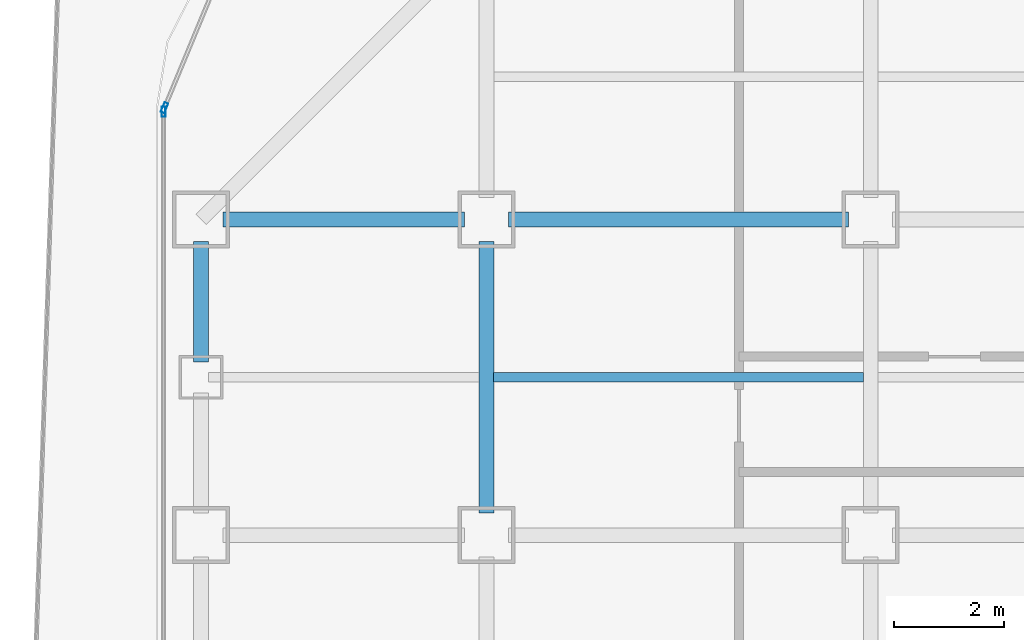
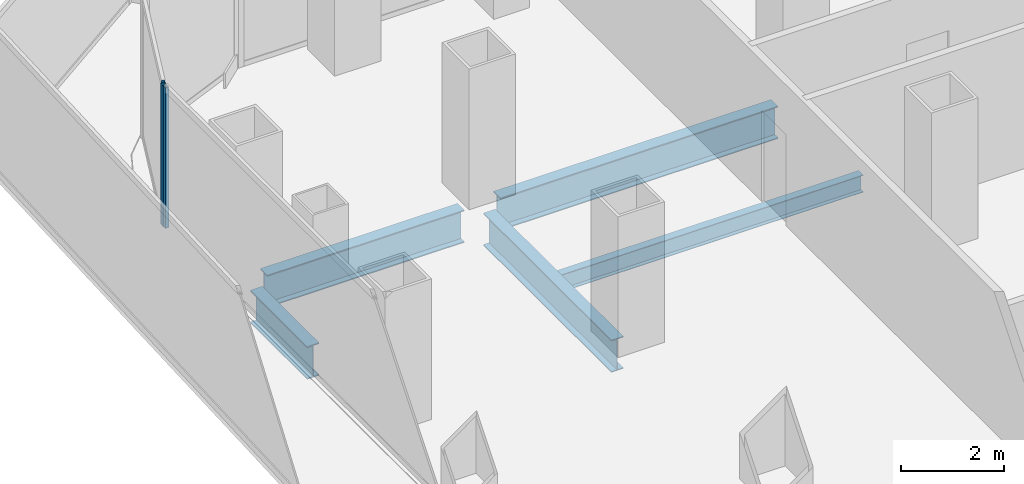
# One storey, part 10 of 21: 5 beams, 2 members, 2 elements without a shape of their own.
"""IFC4 building model written with IfcOpenShell, lengths in metres."""

from ifc_helpers import new_model, si_unit, direction, frame, origin, origin_2d, place, context, subcontext, project, spatial, hollow_rectangle, i_section, extrude, source, transform, mapped, material, layer, layer_set, material_profile, profile_set, type_object, element, aggregate, save


model = new_model("IFC4")

# Units and contexts
model_context = context("Model", 3, precision=1e-05, world=origin(), true_north=direction((0.0, 1.0)))
body_context = subcontext(model_context, "Body", "Model", "MODEL_VIEW")
ifc_project = project(units=[si_unit("LENGTHUNIT", "METRE"), si_unit("AREAUNIT", "SQUARE_METRE"), si_unit("VOLUMEUNIT", "CUBIC_METRE"), si_unit("PLANEANGLEUNIT", "RADIAN"), si_unit("MASSUNIT", "GRAM", prefix="KILO")], contexts=[model_context])

# Site, building, storey
site_placement = place(None, origin())
site = spatial("IfcSite", under=ifc_project, at=site_placement, CompositionType="ELEMENT")
building_placement = place(site_placement, origin())
building = spatial("IfcBuilding", under=site, at=building_placement, Name="Kolveth Station Tower", CompositionType="ELEMENT")
storey_placement = place(building_placement, frame((0.0, 0.0, 47.699951171875)))
storey = spatial("IfcBuildingStorey", under=building, at=storey_placement, Name="L12", CompositionType="ELEMENT", Elevation=47.699951171875)

# Beams
ifc_material_1 = material(Name="Steel S355", Category="steel")
ifc_material_profile_1 = material_profile(ifc_material_1, i_section(OverallWidth=0.26904296875, OverallDepth=0.77490234375, WebThickness=0.01708984375, FlangeThickness=0.0283203125, at=origin_2d()), Name="W760x220")
ifc_profile_set_1 = profile_set([ifc_material_profile_1], Name="Steel S355")
beam_type_1 = type_object("IfcBeamType", Name="Beam_SP1", PredefinedType="SPANDREL", material=ifc_profile_set_1)
shared_shape_1 = source(origin(), body_context, "Body", "SweptSolid", [
    extrude(i_section(OverallWidth=0.26904296875, OverallDepth=0.77490234375, WebThickness=0.01708984375, FlangeThickness=0.0283203125, at=origin_2d()), origin(), (0.0, 0.0, 1.0), 2.2001953125),
])
beam_1_placement = place(storey_placement, frame((0.800048828125, 31.89990234375, -0.66748046875), z_axis=(0.0, 1.0, 0.0), x_axis=(-1.0, 0.0, 0.0)))
element("IfcBeam", 1, at=beam_1_placement, inside=storey, type_object=beam_type_1, Name="L12 Perimeter Spandrel BM-L12-PW-10", PredefinedType="SPANDREL", context=body_context, shape_type="MappedRepresentation", body=[
    mapped(shared_shape_1, transform((0.0, 0.0, 0.0), x_axis=(1.0, 0.0, 0.0), y_axis=(0.0, 1.0, 0.0), z_axis=(0.0, 0.0, 1.0), scale=1.0)),
])
ifc_material_profile_2 = material_profile(ifc_material_1, i_section(OverallWidth=0.26708984375, OverallDepth=0.76611328125, WebThickness=0.014892578125, FlangeThickness=0.023681640625, at=origin_2d()), Name="W760x185")
ifc_profile_set_2 = profile_set([ifc_material_profile_2], Name="Steel S355")
beam_type_2 = type_object("IfcBeamType", Name="Beam_B3", PredefinedType="BEAM", material=ifc_profile_set_2)
shared_shape_2 = source(origin(), body_context, "Body", "SweptSolid", [
    extrude(i_section(OverallWidth=0.26708984375, OverallDepth=0.76611328125, WebThickness=0.014892578125, FlangeThickness=0.023681640625, at=origin_2d()), origin(), (0.0, 0.0, 1.0), 4.400146484375),
])
beam_2_placement = place(storey_placement, frame((1.199951171875, 34.5, -0.662841796875), z_axis=(1.0, 0.0, 0.0), x_axis=(0.0, 1.0, 0.0)))
element("IfcBeam", 2, at=beam_2_placement, inside=storey, type_object=beam_type_2, Name="L12 Primary Girder BM-L12-GY345-1", PredefinedType="BEAM", context=body_context, shape_type="MappedRepresentation", body=[
    mapped(shared_shape_2, transform((0.0, 0.0, 0.0), x_axis=(1.0, 0.0, 0.0), y_axis=(0.0, 1.0, 0.0), z_axis=(0.0, 0.0, 1.0), scale=1.0)),
])
shared_shape_3 = source(origin(), body_context, "Body", "SweptSolid", [
    extrude(i_section(OverallWidth=0.26708984375, OverallDepth=0.76611328125, WebThickness=0.014892578125, FlangeThickness=0.023681640625, at=origin_2d()), origin(), (0.0, 0.0, 1.0), 6.2001953125),
])
beam_3_placement = place(storey_placement, frame((6.39990234375, 34.5, -0.662841796875), z_axis=(1.0, 0.0, 0.0), x_axis=(0.0, 1.0, 0.0)))
element("IfcBeam", 3, at=beam_3_placement, inside=storey, type_object=beam_type_2, Name="L12 Primary Girder BM-L12-GY345-2", PredefinedType="BEAM", context=body_context, shape_type="MappedRepresentation", body=[
    mapped(shared_shape_3, transform((0.0, 0.0, 0.0), x_axis=(1.0, 0.0, 0.0), y_axis=(0.0, 1.0, 0.0), z_axis=(0.0, 0.0, 1.0), scale=1.0)),
])
shared_shape_4 = source(origin(), body_context, "Body", "SweptSolid", [
    extrude(i_section(OverallWidth=0.26708984375, OverallDepth=0.76611328125, WebThickness=0.014892578125, FlangeThickness=0.023681640625, at=origin_2d()), origin(), (0.0, 0.0, 1.0), 4.9501953125),
])
beam_4_placement = place(storey_placement, frame((6.0, 29.14990234375, -0.662841796875), z_axis=(0.0, 1.0, 0.0), x_axis=(-1.0, 0.0, 0.0)))
element("IfcBeam", 4, at=beam_4_placement, inside=storey, type_object=beam_type_2, Name="L12 Primary Girder BM-L12-GX60-6", PredefinedType="BEAM", context=body_context, shape_type="MappedRepresentation", body=[
    mapped(shared_shape_4, transform((0.0, 0.0, 0.0), x_axis=(1.0, 0.0, 0.0), y_axis=(0.0, 1.0, 0.0), z_axis=(0.0, 0.0, 1.0), scale=1.0)),
])
ifc_material_profile_3 = material_profile(ifc_material_1, i_section(OverallWidth=0.177978515625, OverallDepth=0.406982421875, WebThickness=0.0078125, FlangeThickness=0.0126953125, at=origin_2d()), Name="W410x60")
ifc_profile_set_3 = profile_set([ifc_material_profile_3], Name="Steel S355")
beam_type_3 = type_object("IfcBeamType", Name="Beam_J1", PredefinedType="JOIST", material=ifc_profile_set_3)
shared_shape_5 = source(origin(), body_context, "Body", "SweptSolid", [
    extrude(i_section(OverallWidth=0.177978515625, OverallDepth=0.406982421875, WebThickness=0.0078125, FlangeThickness=0.0126953125, at=origin_2d()), origin(), (0.0, 0.0, 1.0), 6.73681640625),
])
beam_5_placement = place(storey_placement, frame((6.131591796875, 31.625, -0.4833984375), z_axis=(1.0, 0.0, 0.0), x_axis=(0.0, 1.0, 0.0)))
element("IfcBeam", 5, at=beam_5_placement, inside=storey, type_object=beam_type_3, Name="L12 Secondary Joist JST-L12-2-6", PredefinedType="JOIST", context=body_context, shape_type="MappedRepresentation", body=[
    mapped(shared_shape_5, transform((0.0, 0.0, 0.0), x_axis=(1.0, 0.0, 0.0), y_axis=(0.0, 1.0, 0.0), z_axis=(0.0, 0.0, 1.0), scale=1.0)),
])

# Curtain wall, member
ifc_material_2 = material(Name="Aluminium 6063-T6 and low-E dark glass", Category="aluminium")
ifc_layer = layer(ifc_material_2, 0.179931640625)
ifc_layer_set = layer_set([ifc_layer], Name="Aluminium 6063-T6 and low-E dark glass")
curtain_wall_type = type_object("IfcCurtainWallType", Name="CurtainWall_CW-Z1", PredefinedType="NOTDEFINED", material=ifc_layer_set)
curtain_wall_1_placement = place(storey_placement, origin())
curtain_wall_1 = element("IfcCurtainWall", 6, at=curtain_wall_1_placement, inside=storey, type_object=curtain_wall_type, Name="L12 Inner Thermal Curtain Wall 8", PredefinedType="NOTDEFINED")
ifc_material_3 = material(Name="Black anodized aluminium 6063-T6", Category="aluminium")
ifc_material_profile_4 = material_profile(ifc_material_3, hollow_rectangle(XDim=0.074951171875, YDim=0.18994140625, WallThickness=0.0048828125, at=origin_2d()), Name="ALU-75x190x5")
ifc_profile_set_4 = profile_set([ifc_material_profile_4], Name="Black anodized aluminium 6063-T6")
member_type = type_object("IfcMemberType", Name="Mullion_ML1", PredefinedType="MULLION", material=ifc_profile_set_4)
shared_shape_6 = source(origin(), body_context, "Body", "SweptSolid", [
    extrude(hollow_rectangle(XDim=0.074951171875, YDim=0.18994140625, WallThickness=0.0048828125, at=origin_2d()), origin(), (0.0, 0.0, 1.0), 3.320068359375),
])
member_1_placement = place(storey_placement, frame((0.13427734375, 36.53466796875, 0.0), z_axis=(0.0, 0.0, 1.0), x_axis=(0.923883857728, -0.382672990201, 0.0)))
member_1 = element("IfcMember", 7, at=member_1_placement, type_object=member_type, Name="CW-Z1 mullion 2", PredefinedType="MULLION", context=body_context, shape_type="MappedRepresentation", body=[
    mapped(shared_shape_6, transform((0.0, 0.0, 0.0), x_axis=(1.0, 0.0, 0.0), y_axis=(0.0, 1.0, 0.0), z_axis=(0.0, 0.0, 1.0), scale=1.0)),
])
aggregate(curtain_wall_1, [member_1])

curtain_wall_2_placement = place(storey_placement, origin())
curtain_wall_2 = element("IfcCurtainWall", 8, at=curtain_wall_2_placement, inside=storey, type_object=curtain_wall_type, Name="L12 Inner Thermal Curtain Wall 9", PredefinedType="NOTDEFINED")
member_2_placement = place(storey_placement, frame((0.1201171875, 36.46240234375, 0.0), z_axis=(0.0, 0.0, 1.0), x_axis=(1.0, 0.0, 0.0)))
member_2 = element("IfcMember", 9, at=member_2_placement, type_object=member_type, Name="CW-Z1 mullion 1", PredefinedType="MULLION", context=body_context, shape_type="MappedRepresentation", body=[
    mapped(shared_shape_6, transform((0.0, 0.0, 0.0), x_axis=(1.0, 0.0, 0.0), y_axis=(0.0, 1.0, 0.0), z_axis=(0.0, 0.0, 1.0), scale=1.0)),
])
aggregate(curtain_wall_2, [member_2])

save(model, "model.ifc")
